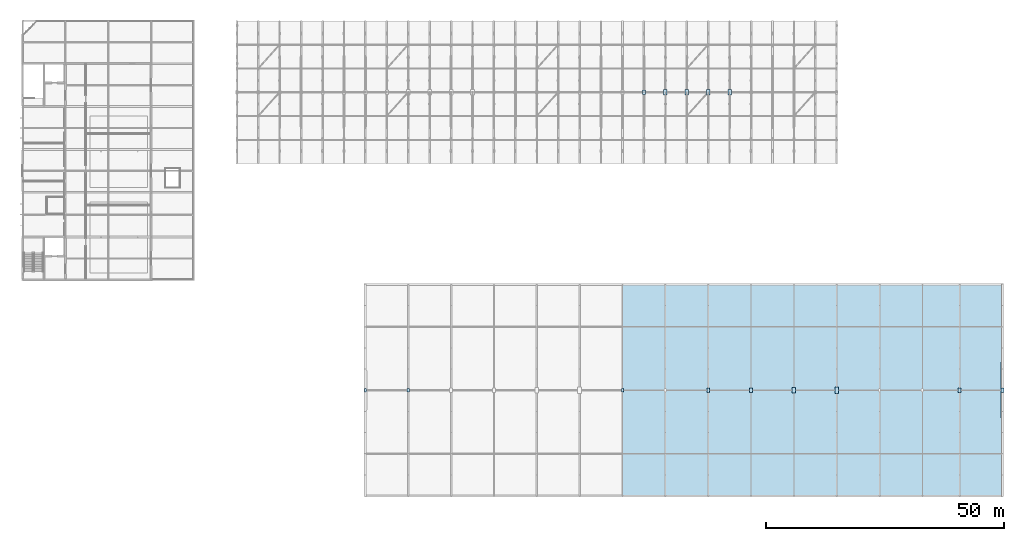
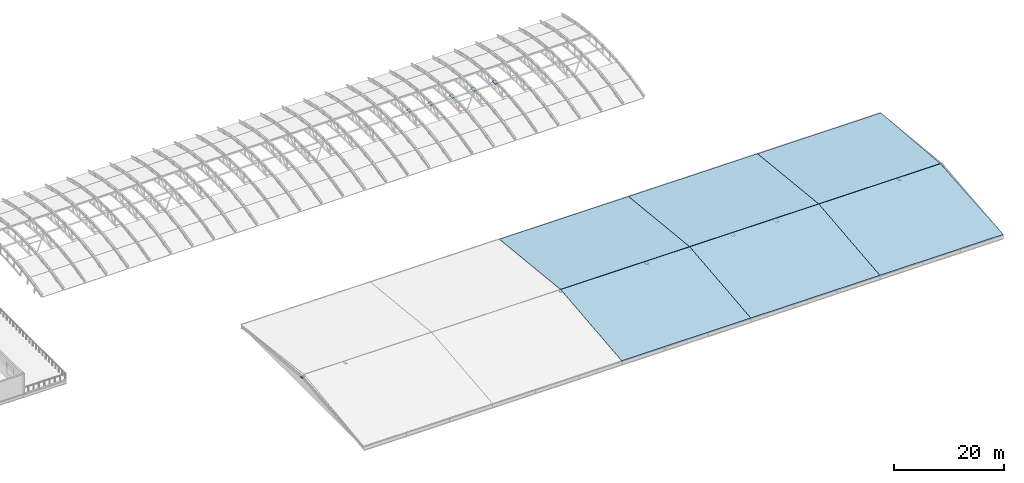
# One storey, part 33 of 53: 14 plates, 6 slabs.
"""IFC4 building model written with IfcOpenShell, lengths in metres."""

import ifcopenshell
import ifcopenshell.guid

model = None  # the IFC model being written
_history = None  # IfcOwnerHistory: only IFC2X3 demands one
_inside = {}  # id of a spatial element -> (the spatial element, [elements in it])
_under = {}  # id of a project, library or spatial element -> (it, [spatial elements below it])
_declared = {}  # id of a project -> (the project, [libraries it declares])
_typed = {}  # id of a type object -> (the type object, [elements of that type])
_made_of = {}  # id of a material, layer set ... -> (it, [elements and type objects made of it])


def new_model(schema):
    """Start an empty IFC model of exactly this schema.

    Asked for "IFC4X3", IfcOpenShell would pick the latest addendum, in which some entities
    have other attributes; the version numbers below select the first issue.
    IFC2X3 requires an IfcOwnerHistory on every rooted entity: one is made here for all.
    """
    global model, _history
    if schema == "IFC4X3":
        model = ifcopenshell.file(schema_version=(4, 3, 0, 0))
    else:
        model = ifcopenshell.file(schema=schema)
    _inside.clear()
    _under.clear()
    _declared.clear()
    _typed.clear()
    _made_of.clear()
    _history = None
    if model.schema == "IFC2X3":
        org = make("IfcOrganization", Name="unknown")
        user = make(
            "IfcPersonAndOrganization",
            ThePerson=make("IfcPerson", FamilyName="unknown"),
            TheOrganization=org,
        )
        app = make(
            "IfcApplication",
            ApplicationDeveloper=org,
            Version="unknown",
            ApplicationFullName="unknown",
            ApplicationIdentifier="unknown",
        )
        _history = make(
            "IfcOwnerHistory",
            OwningUser=user,
            OwningApplication=app,
            ChangeAction="ADDED",
            CreationDate=0,
        )
    return model


def make(cls, **values):
    """One entity of the class cls with the attributes given. An attribute that is None is left unset."""
    return model.create_entity(
        cls, **{name: value for name, value in values.items() if value is not None}
    )


def rooted(cls, **values):
    """An entity with a GlobalId (a new one), such as an element, a storey or a relation."""
    return make(cls, GlobalId=ifcopenshell.guid.new(), OwnerHistory=_history, **values)


def si_unit(unit_type, name, prefix=None):
    """IfcSIUnit, for example si_unit("LENGTHUNIT", "METRE", prefix="MILLI")."""
    return make("IfcSIUnit", UnitType=unit_type, Prefix=prefix, Name=name)


def assignment(units):
    """IfcUnitAssignment: the units of a project."""
    return None if units is None else make("IfcUnitAssignment", Units=units)


def point(xyz):
    """IfcCartesianPoint."""
    return None if xyz is None else make("IfcCartesianPoint", Coordinates=xyz)


def direction(xyz):
    """IfcDirection."""
    return None if xyz is None else make("IfcDirection", DirectionRatios=xyz)


def frame(location, z_axis=None, x_axis=None):
    """IfcAxis2Placement3D, a coordinate frame: its origin and axes. An axis left out is left unset."""
    return make(
        "IfcAxis2Placement3D",
        Location=point(location),
        Axis=direction(z_axis),
        RefDirection=direction(x_axis),
    )


def frame_2d(location, x_axis=None):
    """IfcAxis2Placement2D, a coordinate frame in the plane: its origin and x axis."""
    return make(
        "IfcAxis2Placement2D", Location=point(location), RefDirection=direction(x_axis)
    )


def origin():
    """The frame at (0, 0, 0) with its axes left unset."""
    return frame((0.0, 0.0, 0.0))


def origin_2d():
    """The frame at (0, 0) in the plane with its x axis left unset."""
    return frame_2d((0.0, 0.0))


def place(relative_to, where):
    """IfcLocalPlacement: puts the frame where relative to a parent placement (None: the world)."""
    return make(
        "IfcLocalPlacement", PlacementRelTo=relative_to, RelativePlacement=where
    )


def context(
    kind, dimensions, precision=None, world=None, true_north=None, identifier=None
):
    """IfcGeometricRepresentationContext, for example the 3D "Model" context."""
    return make(
        "IfcGeometricRepresentationContext",
        ContextIdentifier=identifier,
        ContextType=kind,
        CoordinateSpaceDimension=dimensions,
        Precision=precision,
        WorldCoordinateSystem=world,
        TrueNorth=true_north,
    )


def subcontext(parent, identifier, kind, view, scale=None):
    """IfcGeometricRepresentationSubContext, for example "Body" below "Model"."""
    return make(
        "IfcGeometricRepresentationSubContext",
        ContextIdentifier=identifier,
        ContextType=kind,
        ParentContext=parent,
        TargetScale=scale,
        TargetView=view,
    )


def project(units=None, contexts=None):
    """IfcProject with its units and contexts."""
    return rooted(
        "IfcProject",
        Name="project",
        RepresentationContexts=contexts,
        UnitsInContext=assignment(units),
    )


def spatial(cls, under=None, at=None, **own):
    """A site, building, storey or space (cls), placed at a placement, below another one or the project."""
    s = rooted(cls, ObjectPlacement=at, **own)
    if under is not None:
        _under.setdefault(under.id(), (under, []))[1].append(s)
    return s


def polyline(points):
    """IfcPolyline through the points."""
    return make("IfcPolyline", Points=[point(p) for p in points])


def profile(cls, at=None, kind="AREA", **sizes):
    """A parametric profile (cls). Its sizes go by their IFC names, for example OverallWidth=200.0."""
    return make(cls, ProfileType=kind, Position=at, **sizes)


def rectangle(**sizes):
    """IfcRectangleProfileDef."""
    return profile("IfcRectangleProfileDef", **sizes)


def outline(outer, holes=None, kind="AREA"):
    """IfcArbitraryClosedProfileDef: a profile drawn as a closed curve; with holes, ...WithVoids."""
    if holes is None:
        return make("IfcArbitraryClosedProfileDef", ProfileType=kind, OuterCurve=outer)
    return make(
        "IfcArbitraryProfileDefWithVoids",
        ProfileType=kind,
        OuterCurve=outer,
        InnerCurves=holes,
    )


def extrude(swept, where, along, depth):
    """IfcExtrudedAreaSolid: the profile swept, set in the frame where, extruded along a direction by depth."""
    return make(
        "IfcExtrudedAreaSolid",
        SweptArea=swept,
        Position=where,
        ExtrudedDirection=direction(along),
        Depth=depth,
    )


def shape(context_of_items, identifier, shape_type, items):
    """IfcShapeRepresentation: the items that make up one representation, for example the "Body"."""
    return make(
        "IfcShapeRepresentation",
        ContextOfItems=context_of_items,
        RepresentationIdentifier=identifier,
        RepresentationType=shape_type,
        Items=items,
    )


def material(Name=None, Category=None):
    """IfcMaterial."""
    return make("IfcMaterial", Name=Name, Category=Category)


def layer(
    of_material, thickness, ventilated=None, Name=None, Category=None, Priority=None
):
    """IfcMaterialLayer: one layer of a wall or slab, of a material (None: an air gap)."""
    return make(
        "IfcMaterialLayer",
        Material=of_material,
        LayerThickness=thickness,
        IsVentilated=ventilated,
        Name=Name,
        Category=Category,
        Priority=Priority,
    )


def layer_set(layers, Name=None):
    """IfcMaterialLayerSet."""
    return make("IfcMaterialLayerSet", MaterialLayers=layers, LayerSetName=Name)


def made_of(thing, what):
    """Note that an element or type object is made of a material, layer set ...; save() writes the relation."""
    if what is not None:
        _made_of.setdefault(what.id(), (what, []))[1].append(thing)
    return thing


def type_object(cls, material=None, **own):
    """A type object (cls), such as IfcWallType, which elements share."""
    return made_of(rooted(cls, **own), material)


def element(
    cls,
    number,
    at=None,
    inside=None,
    cuts=None,
    type_object=None,
    material=None,
    context=None,
    identifier="Body",
    shape_type=None,
    held_by="IfcProductDefinitionShape",
    body=None,
    shapes=None,
    **own,
):
    """One element of the class cls, such as IfcWall. Its Tag is "e" and its number.

    at: its placement. inside: the storey or other place that contains it. cuts: it is an
    opening in that element (IfcRelVoidsElement). A single representation is given by context,
    identifier, shape_type and body (its items); several are given by shapes. held_by: the class
    of the entity that holds the representations. save() writes the other relations.
    """
    e = rooted(cls, Tag="e%d" % number, ObjectPlacement=at, **own)
    if body is not None:
        shapes = [shape(context, identifier, shape_type, body)]
    if shapes is not None:
        e.Representation = make(held_by, Representations=shapes)
    if inside is not None:
        _inside.setdefault(inside.id(), (inside, []))[1].append(e)
    if cuts is not None:
        rooted(
            "IfcRelVoidsElement", RelatingBuildingElement=cuts, RelatedOpeningElement=e
        )
    if type_object is not None:
        _typed.setdefault(type_object.id(), (type_object, []))[1].append(e)
    return made_of(e, material)


def aggregate(whole, parts):
    """IfcRelAggregates: a whole, such as a stair, and the parts it consists of."""
    return rooted("IfcRelAggregates", RelatingObject=whole, RelatedObjects=parts)


def save(model, path):
    """Write the relations noted so far, then the file.

    IfcRelAggregates (storeys below a building ...), IfcRelContainedInSpatialStructure (elements
    in a storey), IfcRelDefinesByType, IfcRelAssociatesMaterial and IfcRelDeclares: one each for
    every whole, place, type object, material and project.
    """
    for whole, parts in _under.values():
        aggregate(whole, parts)
    for where, things in _inside.values():
        rooted(
            "IfcRelContainedInSpatialStructure",
            RelatedElements=things,
            RelatingStructure=where,
        )
    for kind, things in _typed.values():
        rooted("IfcRelDefinesByType", RelatedObjects=things, RelatingType=kind)
    for what, things in _made_of.values():
        rooted("IfcRelAssociatesMaterial", RelatedObjects=things, RelatingMaterial=what)
    for by, libraries in _declared.values():
        rooted("IfcRelDeclares", RelatingContext=by, RelatedDefinitions=libraries)
    model.write(path)


model = new_model("IFC4")

# Units and contexts
model_context = context("Model", 3, precision=1e-05, world=origin(), true_north=direction((0.0, 1.0)))
body_context = subcontext(model_context, "Body", "Model", "MODEL_VIEW")
ifc_project = project(units=[si_unit("LENGTHUNIT", "METRE"), si_unit("AREAUNIT", "SQUARE_METRE"), si_unit("VOLUMEUNIT", "CUBIC_METRE"), si_unit("PLANEANGLEUNIT", "RADIAN"), si_unit("MASSUNIT", "GRAM", prefix="KILO")], contexts=[model_context])

# Site, building, storey
site_placement = place(None, origin())
site = spatial("IfcSite", under=ifc_project, at=site_placement, CompositionType="ELEMENT")
building_placement = place(site_placement, origin())
building = spatial("IfcBuilding", under=site, at=building_placement, Name="Cazmaro Siding Exhibition Halls", CompositionType="ELEMENT")
storey_placement = place(building_placement, frame((0.0, 0.0, 21.0)))
storey = spatial("IfcBuildingStorey", under=building, at=storey_placement, Name="L04", CompositionType="ELEMENT", Elevation=21.0)

# Plates
ifc_material_1 = material(Name="Steel ASTM A572 Grade 50", Category="steel")
ifc_layer_1 = layer(ifc_material_1, 0.0400390625)
ifc_layer_set_1 = layer_set([ifc_layer_1], Name="Steel ASTM A572 Grade 50")
plate_type_1 = type_object("IfcPlateType", Name="GP-04", PredefinedType="USERDEFINED", material=ifc_layer_set_1)
plate_1_placement = place(storey_placement, frame((130.5, 94.0, 2.330078125), z_axis=(0.0, 0.0, 1.0), x_axis=(0.0, 1.0, 0.0)))
element("IfcPlate", 1, at=plate_1_placement, inside=storey, type_object=plate_type_1, Name="Space frame vault crown gusset plate GP-04 node TN-02", ObjectType="GUSSET PLATE", PredefinedType="USERDEFINED", context=body_context, shape_type="SweptSolid", body=[
    extrude(rectangle(XDim=0.9599609375, YDim=0.60009765625, at=origin_2d()), origin(), (0.0, 0.0, 1.0), 0.0400390625),
])
ifc_material_2 = material(Name="Steel ASTM A572 Grade 50", Category="steel")
ifc_layer_2 = layer(ifc_material_2, 0.050048828125)
ifc_layer_set_2 = layer_set([ifc_layer_2], Name="Steel ASTM A572 Grade 50")
plate_type_2 = type_object("IfcPlateType", Name="GP-05", PredefinedType="USERDEFINED", material=ifc_layer_set_2)
for number, where, z_axis, x_axis, name in (
    (2, (135.0, 94.0, 2.3251953125), (0.0, 0.0, 1.0), (0.0, 1.0, 0.0), "Space frame vault crown gusset plate GP-05 node TN-02"),
    (3, (139.5, 94.0, 2.3251953125), (0.0, 0.0, 1.0), (0.0, 1.0, 0.0), "Space frame vault crown gusset plate GP-05 node TN-02"),
):
    element("IfcPlate", number, at=place(storey_placement, frame(where, z_axis=z_axis, x_axis=x_axis)), inside=storey, type_object=plate_type_2, Name=name, ObjectType="GUSSET PLATE", PredefinedType="USERDEFINED", context=body_context, shape_type="SweptSolid", body=[
        extrude(rectangle(XDim=1.080078125, YDim=0.679931640625, at=origin_2d()), origin(), (0.0, 0.0, 1.0), 0.050048828125),
    ])
ifc_material_3 = material(Name="Steel ASTM A572 Grade 50", Category="steel")
ifc_layer_3 = layer(ifc_material_3, 0.06005859375)
ifc_layer_set_3 = layer_set([ifc_layer_3], Name="Steel ASTM A572 Grade 50")
plate_type_3 = type_object("IfcPlateType", Name="GP-06", PredefinedType="USERDEFINED", material=ifc_layer_set_3)
for number, where, z_axis, x_axis, name in (
    (4, (144.0, 94.0, 2.320068359375), (0.0, 0.0, 1.0), (0.0, 1.0, 0.0), "Space frame vault crown gusset plate GP-06 node TN-02"),
    (5, (148.5, 94.0, 2.320068359375), (0.0, 0.0, 1.0), (0.0, 1.0, 0.0), "Space frame vault crown gusset plate GP-06 node TN-02"),
):
    element("IfcPlate", number, at=place(storey_placement, frame(where, z_axis=z_axis, x_axis=x_axis)), inside=storey, type_object=plate_type_3, Name=name, ObjectType="GUSSET PLATE", PredefinedType="USERDEFINED", context=body_context, shape_type="SweptSolid", body=[
        extrude(rectangle(XDim=1.199951171875, YDim=0.75, at=origin_2d()), origin(), (0.0, 0.0, 1.0), 0.06005859375),
    ])
ifc_material_4 = material(Name="Steel ASTM A572 Grade 50", Category="steel")
ifc_layer_4 = layer(ifc_material_4, 0.068115234375)
ifc_layer_set_4 = layer_set([ifc_layer_4], Name="Steel ASTM A572 Grade 50")
plate_type_4 = type_object("IfcPlateType", Name="GP-07", PredefinedType="USERDEFINED", material=ifc_layer_set_4)
for number, where, z_axis, x_axis, name in (
    (6, (72.0, 31.425048828125, 1.81591796875), (0.0, 0.0, 1.0), (0.0, 1.0, 0.0), "Warren truss ridge gusset plate GP-07 node TN-03"),
    (7, (126.0, 31.425048828125, 1.81591796875), (0.0, 0.0, 1.0), (0.0, 1.0, 0.0), "Warren truss ridge gusset plate GP-07 node TN-03"),
):
    element("IfcPlate", number, at=place(storey_placement, frame(where, z_axis=z_axis, x_axis=x_axis)), inside=storey, type_object=plate_type_4, Name=name, ObjectType="GUSSET PLATE", PredefinedType="USERDEFINED", context=body_context, shape_type="SweptSolid", body=[
        extrude(rectangle(XDim=0.64990234375, YDim=0.449951171875, at=origin_2d()), origin(), (0.0, 0.0, 1.0), 0.068115234375),
    ])
ifc_material_5 = material(Name="Steel ASTM A572 Grade 50", Category="steel")
ifc_layer_5 = layer(ifc_material_5, 0.02197265625)
ifc_layer_set_5 = layer_set([ifc_layer_5], Name="Steel ASTM A572 Grade 50")
plate_type_5 = type_object("IfcPlateType", Name="GP-08", PredefinedType="USERDEFINED", material=ifc_layer_set_5)
plate_2_placement = place(storey_placement, frame((81.0, 31.425048828125, 1.839111328125), z_axis=(0.0, 0.0, 1.0), x_axis=(0.0, 1.0, 0.0)))
element("IfcPlate", 8, at=plate_2_placement, inside=storey, type_object=plate_type_5, Name="Warren truss ridge gusset plate GP-08 node TN-03", ObjectType="GUSSET PLATE", PredefinedType="USERDEFINED", context=body_context, shape_type="SweptSolid", body=[
    extrude(rectangle(XDim=0.780029296875, YDim=0.52001953125, at=origin_2d()), origin(), (0.0, 0.0, 1.0), 0.02197265625),
])
ifc_material_6 = material(Name="Steel ASTM A572 Grade 50", Category="steel")
ifc_layer_6 = layer(ifc_material_6, 0.031982421875)
ifc_layer_set_6 = layer_set([ifc_layer_6], Name="Steel ASTM A572 Grade 50")
plate_type_6 = type_object("IfcPlateType", Name="GP-09", PredefinedType="USERDEFINED", material=ifc_layer_set_6)
for number, where, z_axis, x_axis, name in (
    (9, (144.0, 31.425048828125, 1.833984375), (0.0, 0.0, 1.0), (0.0, 1.0, 0.0), "Warren truss ridge gusset plate GP-09 node TN-03"),
    (10, (196.800048828125, 31.425048828125, 1.833984375), (0.0, 0.0, 1.0), (0.0, 1.0, 0.0), "Warren truss ridge gusset plate GP-09 node TN-03"),
):
    element("IfcPlate", number, at=place(storey_placement, frame(where, z_axis=z_axis, x_axis=x_axis)), inside=storey, type_object=plate_type_6, Name=name, ObjectType="GUSSET PLATE", PredefinedType="USERDEFINED", context=body_context, shape_type="SweptSolid", body=[
        extrude(rectangle(XDim=0.89990234375, YDim=0.580078125, at=origin_2d()), origin(), (0.0, 0.0, 1.0), 0.031982421875),
    ])
ifc_material_7 = material(Name="Steel ASTM A572 Grade 50", Category="steel")
ifc_layer_7 = layer(ifc_material_7, 0.0419921875)
ifc_layer_set_7 = layer_set([ifc_layer_7], Name="Steel ASTM A572 Grade 50")
plate_type_7 = type_object("IfcPlateType", Name="GP-10", PredefinedType="USERDEFINED", material=ifc_layer_set_7)
for number, where, z_axis, x_axis, name in (
    (11, (153.0, 31.425048828125, 1.8291015625), (0.0, 0.0, 1.0), (0.0, 1.0, 0.0), "Warren truss ridge gusset plate GP-10 node TN-03"),
    (12, (205.800048828125, 31.425048828125, 1.8291015625), (0.0, 0.0, 1.0), (0.0, 1.0, 0.0), "Warren truss ridge gusset plate GP-10 node TN-03"),
):
    element("IfcPlate", number, at=place(storey_placement, frame(where, z_axis=z_axis, x_axis=x_axis)), inside=storey, type_object=plate_type_7, Name=name, ObjectType="GUSSET PLATE", PredefinedType="USERDEFINED", context=body_context, shape_type="SweptSolid", body=[
        extrude(rectangle(XDim=1.02001953125, YDim=0.639892578125, at=origin_2d()), origin(), (0.0, 0.0, 1.0), 0.0419921875),
    ])
ifc_material_8 = material(Name="Steel ASTM A572 Grade 50", Category="steel")
ifc_layer_8 = layer(ifc_material_8, 0.052001953125)
ifc_layer_set_8 = layer_set([ifc_layer_8], Name="Steel ASTM A572 Grade 50")
plate_type_8 = type_object("IfcPlateType", Name="GP-11", PredefinedType="USERDEFINED", material=ifc_layer_set_8)
plate_3_placement = place(storey_placement, frame((162.0, 31.425048828125, 1.82421875), z_axis=(0.0, 0.0, 1.0), x_axis=(0.0, 1.0, 0.0)))
element("IfcPlate", 13, at=plate_3_placement, inside=storey, type_object=plate_type_8, Name="Warren truss ridge gusset plate GP-11 node TN-03", ObjectType="GUSSET PLATE", PredefinedType="USERDEFINED", context=body_context, shape_type="SweptSolid", body=[
    extrude(rectangle(XDim=1.139892578125, YDim=0.719970703125, at=origin_2d()), origin(), (0.0, 0.0, 1.0), 0.052001953125),
])
ifc_material_9 = material(Name="Steel ASTM A572 Grade 50", Category="steel")
ifc_layer_9 = layer(ifc_material_9, 0.06201171875)
ifc_layer_set_9 = layer_set([ifc_layer_9], Name="Steel ASTM A572 Grade 50")
plate_type_9 = type_object("IfcPlateType", Name="GP-12", PredefinedType="USERDEFINED", material=ifc_layer_set_9)
plate_4_placement = place(storey_placement, frame((171.0, 31.425048828125, 1.819091796875), z_axis=(0.0, 0.0, 1.0), x_axis=(0.0, 1.0, 0.0)))
element("IfcPlate", 14, at=plate_4_placement, inside=storey, type_object=plate_type_9, Name="Warren truss ridge gusset plate GP-12 node TN-03", ObjectType="GUSSET PLATE", PredefinedType="USERDEFINED", context=body_context, shape_type="SweptSolid", body=[
    extrude(rectangle(XDim=1.280029296875, YDim=0.820068359375, at=origin_2d()), origin(), (0.0, 0.0, 1.0), 0.06201171875),
])

# Slabs
ifc_material_10 = material(Name="Concrete f'c 35 MPa", Category="concrete")
ifc_layer_10 = layer(ifc_material_10, 0.159912109375)
ifc_layer_set_10 = layer_set([ifc_layer_10], Name="Concrete f'c 35 MPa")
slab_type = type_object("IfcSlabType", Name="RS-01", PredefinedType="ROOF", material=ifc_layer_set_10)
slab_1_placement = place(storey_placement, frame((126.0, 9.25, 0.0), z_axis=(0.0, -0.104524367728, 0.994522325818), x_axis=(1.0, 0.0, 0.0)))
element("IfcSlab", 15, at=slab_1_placement, inside=storey, type_object=slab_type, Name="Hall B2 Warren South Roof Panel 3 RS-01 SLB-0075", PredefinedType="ROOF", context=body_context, shape_type="SweptSolid", body=[
    extrude(outline(polyline([(0.0, 0.0), (27.0, 0.0), (27.0, 22.26183566055885), (0.0, 22.26183566055885), (0.0, 0.0)])), origin(), (0.0, 0.0, -1.0), 0.159912109375),
])
slab_2_placement = place(storey_placement, frame((126.0, 31.4599609375, 2.326904296875), z_axis=(0.0, 0.104523227723, 0.994522445632), x_axis=(1.0, 0.0, 0.0)))
element("IfcSlab", 16, at=slab_2_placement, inside=storey, type_object=slab_type, Name="Hall B2 Warren North Roof Panel 3 RS-01 SLB-0076", PredefinedType="ROOF", context=body_context, shape_type="SweptSolid", body=[
    extrude(outline(polyline([(0.0, 0.0), (27.0, 0.0), (27.0, 22.26207846387568), (0.0, 22.26207846387568), (0.0, 0.0)])), origin(), (0.0, 0.0, -1.0), 0.159912109375),
])
slab_3_placement = place(storey_placement, frame((153.0, 9.25, 0.0), z_axis=(0.0, -0.104524367728, 0.994522325818), x_axis=(1.0, 0.0, 0.0)))
element("IfcSlab", 17, at=slab_3_placement, inside=storey, type_object=slab_type, Name="Hall B2 Warren South Roof Panel 4 RS-01 SLB-0077", PredefinedType="ROOF", context=body_context, shape_type="SweptSolid", body=[
    extrude(outline(polyline([(0.0, 0.0), (27.0, 0.0), (27.0, 22.26183566055885), (0.0, 22.26183566055885), (0.0, 0.0)])), origin(), (0.0, 0.0, -1.0), 0.159912109375),
])
slab_4_placement = place(storey_placement, frame((153.0, 31.4599609375, 2.326904296875), z_axis=(0.0, 0.104523227723, 0.994522445632), x_axis=(1.0, 0.0, 0.0)))
element("IfcSlab", 18, at=slab_4_placement, inside=storey, type_object=slab_type, Name="Hall B2 Warren North Roof Panel 4 RS-01 SLB-0078", PredefinedType="ROOF", context=body_context, shape_type="SweptSolid", body=[
    extrude(outline(polyline([(0.0, 0.0), (27.0, 0.0), (27.0, 22.26207846387568), (0.0, 22.26207846387568), (0.0, 0.0)])), origin(), (0.0, 0.0, -1.0), 0.159912109375),
])
slab_5_placement = place(storey_placement, frame((180.0, 9.25, 0.0), z_axis=(0.0, -0.104524367728, 0.994522325818), x_axis=(1.0, 0.0, 0.0)))
element("IfcSlab", 19, at=slab_5_placement, inside=storey, type_object=slab_type, Name="Hall B2 Warren South Roof Panel 5 RS-01 SLB-0079", PredefinedType="ROOF", context=body_context, shape_type="SweptSolid", body=[
    extrude(outline(polyline([(0.0, 0.0), (25.800048828125, 0.0), (25.449951171875, 22.26183566055885), (0.0, 22.26183566055885), (0.0, 0.0)])), origin(), (0.0, 0.0, -1.0), 0.159912109375),
])
slab_6_placement = place(storey_placement, frame((180.0, 31.4599609375, 2.326904296875), z_axis=(0.0, 0.104523227723, 0.994522445632), x_axis=(1.0, 0.0, 0.0)))
element("IfcSlab", 20, at=slab_6_placement, inside=storey, type_object=slab_type, Name="Hall B2 Warren North Roof Panel 5 RS-01 SLB-0080", PredefinedType="ROOF", context=body_context, shape_type="SweptSolid", body=[
    extrude(outline(polyline([(0.0, 0.0), (25.449951171875, 0.0), (25.800048828125, 22.262078463875685), (0.0, 22.262078463875685), (0.0, 0.0)])), origin(), (0.0, 0.0, -1.0), 0.159912109375),
])

save(model, "model.ifc")
